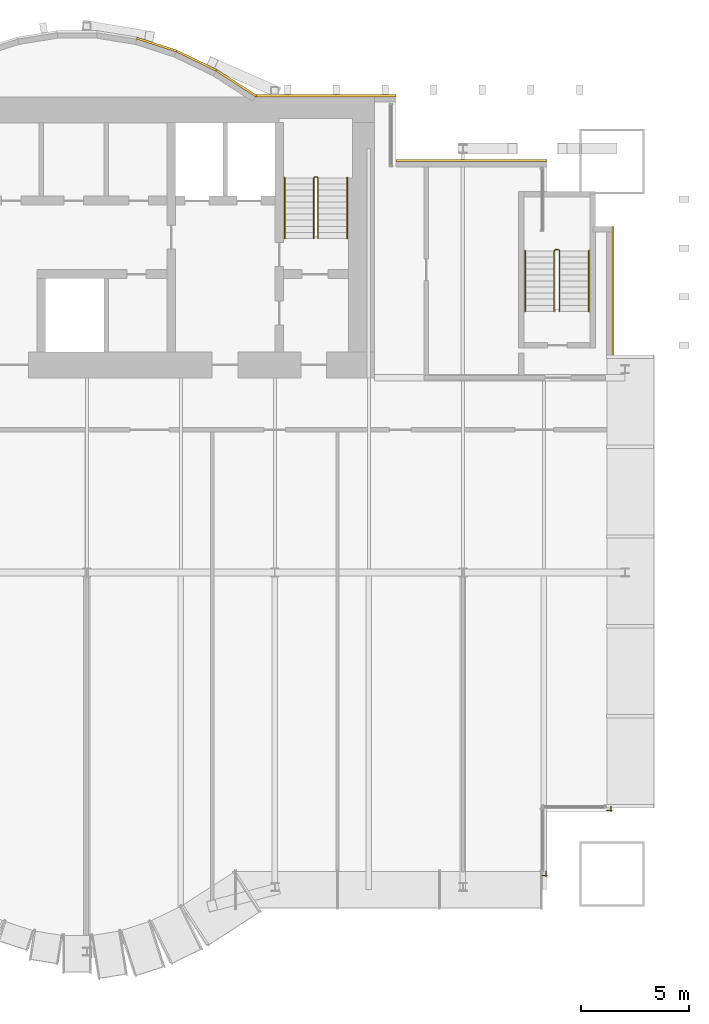
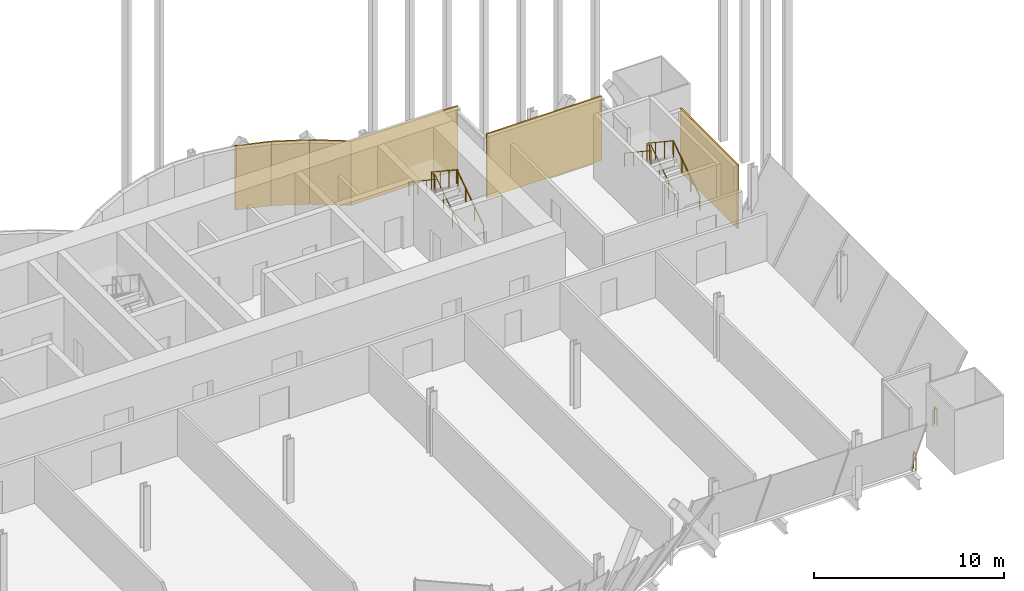
# One storey, part 22 of 22: 8 railings, 6 coverings.
"""IFC4 building model written with IfcOpenShell, lengths in metres."""

from ifc_helpers import new_model, si_unit, direction, frame, origin, origin_2d, place, context, subcontext, project, spatial, rectangle, circle, extrude, material, layer, layer_set, type_object, element, save


model = new_model("IFC4")

# Units and contexts
model_context = context("Model", 3, precision=1e-05, world=origin(), true_north=direction((0.0, 1.0)))
body_context = subcontext(model_context, "Body", "Model", "MODEL_VIEW")
ifc_project = project(units=[si_unit("LENGTHUNIT", "METRE"), si_unit("AREAUNIT", "SQUARE_METRE"), si_unit("VOLUMEUNIT", "CUBIC_METRE"), si_unit("PLANEANGLEUNIT", "RADIAN"), si_unit("MASSUNIT", "GRAM", prefix="KILO")], contexts=[model_context])

# Site, building, storey
site_placement = place(None, origin())
site = spatial("IfcSite", under=ifc_project, at=site_placement, CompositionType="ELEMENT")
building_placement = place(site_placement, origin())
building = spatial("IfcBuilding", under=site, at=building_placement, Name="Bicima Exchange Tower", CompositionType="ELEMENT")
storey_placement = place(building_placement, frame((0.0, 0.0, 89.89990234375)))
storey = spatial("IfcBuildingStorey", under=building, at=storey_placement, Name="L18", CompositionType="ELEMENT", Elevation=89.89990234375)

# Coverings
ifc_material_1 = material(Name="Bronze metal cladding")
ifc_layer_1 = layer(ifc_material_1, 0.004)
ifc_material_2 = material(Name="Ventilated cavity")
ifc_layer_2 = layer(ifc_material_2, 0.06)
ifc_material_3 = material(Name="Galvanised steel rail and mineral wool", Category="steel")
ifc_layer_3 = layer(ifc_material_3, 0.036)
ifc_layer_set = layer_set([ifc_layer_1, ifc_layer_2, ifc_layer_3], Name="Ventilated cavity")
covering_type = type_object("IfcCoveringType", Name="Bronze metal cladding panel 100", PredefinedType="CLADDING", material=ifc_layer_set)
covering_1_placement = place(storey_placement, frame((33.050048828125, -9.0, -0.14990234375), z_axis=(0.0, 0.0, 1.0), x_axis=(0.0, 1.0, 0.0)))
element("IfcCovering", 1, at=covering_1_placement, inside=storey, type_object=covering_type, Name="Bronze cladding L18 2.1", PredefinedType="CLADDING", context=body_context, shape_type="SweptSolid", body=[
    extrude(rectangle(XDim=6.0, YDim=0.10009765625, at=origin_2d()), origin(), (0.0, 0.0, 1.0), 4.10009765625),
])
covering_2_placement = place(storey_placement, frame((26.5, -2.949951171875, -0.14990234375), z_axis=(0.0, 0.0, 1.0), x_axis=(-1.0, 0.0, 0.0)))
element("IfcCovering", 2, at=covering_2_placement, inside=storey, type_object=covering_type, Name="Bronze cladding L18 5.1", PredefinedType="CLADDING", context=body_context, shape_type="SweptSolid", body=[
    extrude(rectangle(XDim=7.0, YDim=0.10009765625, at=origin_2d()), origin(), (0.0, 0.0, 1.0), 4.10009765625),
])
covering_3_placement = place(storey_placement, frame((19.75, 0.050048828125, -0.14990234375), z_axis=(0.0, 0.0, 1.0), x_axis=(-1.0, 0.0, 0.0)))
element("IfcCovering", 3, at=covering_3_placement, inside=storey, type_object=covering_type, Name="Bronze cladding L18 7.1", PredefinedType="CLADDING", context=body_context, shape_type="SweptSolid", body=[
    extrude(rectangle(XDim=6.5, YDim=0.10009765625, at=origin_2d()), origin(), (0.0, 0.0, 1.0), 4.10009765625),
])
covering_4_placement = place(storey_placement, frame((15.610595703125, 0.634521484375, -0.14990234375), z_axis=(0.0, 0.0, 1.0), x_axis=(-0.839790466384, 0.542910648791, 0.0)))
element("IfcCovering", 4, at=covering_4_placement, inside=storey, type_object=covering_type, Name="Bronze cladding L18 8.1", PredefinedType="CLADDING", context=body_context, shape_type="SweptSolid", body=[
    extrude(rectangle(XDim=2.18310546875, YDim=0.10009765625, at=origin_2d()), origin(), (0.0, 0.0, 1.0), 4.10009765625),
])
covering_5_placement = place(storey_placement, frame((13.771728515625, 1.674560546875, -0.14990234375), z_axis=(0.0, 0.0, 1.0), x_axis=(-0.899818346812, 0.436264762204, 0.0)))
element("IfcCovering", 5, at=covering_5_placement, inside=storey, type_object=covering_type, Name="Bronze cladding L18 9.1", PredefinedType="CLADDING", context=body_context, shape_type="SweptSolid", body=[
    extrude(rectangle(XDim=2.03759765625, YDim=0.10009765625, at=origin_2d()), origin(), (0.0, 0.0, 1.0), 4.10009765625),
])
covering_6_placement = place(storey_placement, frame((11.931884765625, 2.41796875, -0.14990234375), z_axis=(0.0, 0.0, 1.0), x_axis=(-0.951524642381, 0.307572519808, 0.0)))
element("IfcCovering", 6, at=covering_6_placement, inside=storey, type_object=covering_type, Name="Bronze cladding L18 10.1", PredefinedType="CLADDING", context=body_context, shape_type="SweptSolid", body=[
    extrude(rectangle(XDim=1.9267578125, YDim=0.10009765625, at=origin_2d()), origin(), (0.0, 0.0, 1.0), 4.10009765625),
])

# Railings
ifc_material_4 = material(Name="Stainless steel and bonded safety glass", Category="steel")
railing_type_1 = type_object("IfcRailingType", Name="Edge guard 1100", PredefinedType="GUARDRAIL", material=ifc_material_4)
railing_1_placement = place(storey_placement, frame((29.949951171875, -35.822021484375, 0.0)))
element("IfcRailing", 7, at=railing_1_placement, inside=storey, type_object=railing_type_1, Name="Edge guard L18 81", PredefinedType="GUARDRAIL", context=body_context, shape_type="SweptSolid", body=[
    extrude(circle(Radius=0.02392578125, at=origin_2d()), frame((0.0, 0.0, 1.076171875), z_axis=(0.0, -1.0, 0.0), x_axis=(1.0, 0.0, 0.0)), (0.0, 0.0, 1.0), 0.25),
    extrude(circle(Radius=0.02392578125, at=origin_2d()), frame((0.0, -0.25, 1.076171875), z_axis=(0.707106781187, 0.707106781187, 0.0), x_axis=(-0.707106781187, 0.707106781187, 0.0)), (0.0, 0.0, 1.0), 0.07080078125),
    extrude(circle(Radius=0.02392578125, at=origin_2d()), frame((0.050048828125, -0.199951171875, 1.076171875), z_axis=(-1.0, 0.0, 0.0), x_axis=(0.0, -1.0, 0.0)), (0.0, 0.0, 1.0), 0.248046875),
    extrude(circle(Radius=0.02099609375, at=origin_2d()), origin(), (0.0, 0.0, 1.0), 1.052001953125),
    extrude(circle(Radius=0.02099609375, at=origin_2d()), frame((0.0, -0.25, 0.0)), (0.0, 0.0, 1.0), 1.052001953125),
    extrude(circle(Radius=0.02099609375, at=origin_2d()), frame((0.050048828125, -0.199951171875, 0.0)), (0.0, 0.0, 1.0), 1.052001953125),
    extrude(circle(Radius=0.02099609375, at=origin_2d()), frame((-0.197998046875, -0.199951171875, 0.0)), (0.0, 0.0, 1.0), 1.052001953125),
])
railing_2_placement = place(storey_placement, frame((32.949951171875, -32.823974609375, 0.0)))
element("IfcRailing", 8, at=railing_2_placement, inside=storey, type_object=railing_type_1, Name="Edge guard L18 84", PredefinedType="GUARDRAIL", context=body_context, shape_type="SweptSolid", body=[
    extrude(circle(Radius=0.02392578125, at=origin_2d()), frame((0.0, 0.0, 1.076171875), z_axis=(0.0, -1.0, 0.0), x_axis=(1.0, 0.0, 0.0)), (0.0, 0.0, 1.0), 0.248046875),
    extrude(circle(Radius=0.02392578125, at=origin_2d()), frame((0.0, -0.248046875, 1.076171875), z_axis=(0.707106781187, 0.707106781187, 0.0), x_axis=(-0.707106781187, 0.707106781187, 0.0)), (0.0, 0.0, 1.0), 0.07080078125),
    extrude(circle(Radius=0.02392578125, at=origin_2d()), frame((0.050048828125, -0.197998046875, 1.076171875), z_axis=(-1.0, 0.0, 0.0), x_axis=(0.0, -1.0, 0.0)), (0.0, 0.0, 1.0), 0.25),
    extrude(circle(Radius=0.02099609375, at=origin_2d()), origin(), (0.0, 0.0, 1.0), 1.052001953125),
    extrude(circle(Radius=0.02099609375, at=origin_2d()), frame((0.0, -0.248046875, 0.0)), (0.0, 0.0, 1.0), 1.052001953125),
    extrude(circle(Radius=0.02099609375, at=origin_2d()), frame((0.050048828125, -0.197998046875, 0.0)), (0.0, 0.0, 1.0), 1.052001953125),
    extrude(circle(Radius=0.02099609375, at=origin_2d()), frame((-0.199951171875, -0.197998046875, 0.0)), (0.0, 0.0, 1.0), 1.052001953125),
])
ifc_material_5 = material(Name="Stainless steel", Category="steel")
railing_type_2 = type_object("IfcRailingType", Name="Stair guard 1100", PredefinedType="GUARDRAIL", material=ifc_material_5)
railing_3_placement = place(storey_placement, frame((19.39990234375, -6.550048828125, 0.1865234375)))
element("IfcRailing", 9, at=railing_3_placement, inside=storey, type_object=railing_type_2, Name="L18 ST-E stair guard 1", PredefinedType="GUARDRAIL", context=body_context, shape_type="SweptSolid", body=[
    extrude(circle(Radius=0.02392578125, at=origin_2d()), frame((0.0, 0.0, 1.076171875), z_axis=(0.0, 0.832485552168, 0.554046753832), x_axis=(-1.0, 0.0, 0.0)), (0.0, 0.0, 1.0), 3.363525390625),
    extrude(circle(Radius=0.02392578125, at=origin_2d()), frame((0.0, 2.800048828125, 2.939453125), z_axis=(-0.705375805398, 0.708833529934, 0.0), x_axis=(-0.708833529934, -0.705375805398, 0.0)), (0.0, 0.0, 1.0), 0.070556640625),
    extrude(circle(Radius=0.02392578125, at=origin_2d()), frame((-0.0498046875, 2.85009765625, 2.939453125), z_axis=(-1.0, 0.0, 0.0), x_axis=(0.0, -1.0, 0.0)), (0.0, 0.0, 1.0), 0.10009765625),
    extrude(circle(Radius=0.02392578125, at=origin_2d()), frame((-0.14990234375, 2.85009765625, 2.939453125), z_axis=(-0.250869701741, -0.250869701741, 0.934948546978), x_axis=(0.707106781187, -0.707106781187, 0.0)), (0.0, 0.0, 1.0), 0.199462890625),
    extrude(circle(Radius=0.02392578125, at=origin_2d()), frame((-0.199951171875, 2.800048828125, 3.1259765625), z_axis=(0.0, -0.832485552168, 0.554046753832), x_axis=(1.0, 0.0, 0.0)), (0.0, 0.0, 1.0), 3.363525390625),
    extrude(circle(Radius=0.02099609375, at=origin_2d()), origin(), (0.0, 0.0, 1.0), 1.052001953125),
    extrude(circle(Radius=0.02099609375, at=origin_2d()), frame((0.0, 0.933349609375, 0.62109375)), (0.0, 0.0, 1.0), 1.052001953125),
    extrude(circle(Radius=0.02099609375, at=origin_2d()), frame((0.0, 1.86669921875, 1.242431640625)), (0.0, 0.0, 1.0), 1.052001953125),
    extrude(circle(Radius=0.02099609375, at=origin_2d()), frame((0.0, 2.800048828125, 1.863525390625)), (0.0, 0.0, 1.0), 1.052001953125),
    extrude(circle(Radius=0.02099609375, at=origin_2d()), frame((-0.0498046875, 2.85009765625, 1.863525390625)), (0.0, 0.0, 1.0), 1.052001953125),
    extrude(circle(Radius=0.02099609375, at=origin_2d()), frame((-0.14990234375, 2.85009765625, 1.863525390625)), (0.0, 0.0, 1.0), 1.052001953125),
    extrude(circle(Radius=0.02099609375, at=origin_2d()), frame((-0.199951171875, 2.800048828125, 2.050048828125)), (0.0, 0.0, 1.0), 1.052001953125),
    extrude(circle(Radius=0.02099609375, at=origin_2d()), frame((-0.199951171875, 1.86669921875, 2.671142578125)), (0.0, 0.0, 1.0), 1.052001953125),
    extrude(circle(Radius=0.02099609375, at=origin_2d()), frame((-0.199951171875, 0.933349609375, 3.29248046875)), (0.0, 0.0, 1.0), 1.052001953125),
    extrude(circle(Radius=0.02099609375, at=origin_2d()), frame((-0.199951171875, 0.0, 3.91357421875)), (0.0, 0.0, 1.0), 1.052001953125),
])
railing_4_placement = place(storey_placement, frame((30.574951171875, -9.925048828125, 0.1865234375)))
element("IfcRailing", 10, at=railing_4_placement, inside=storey, type_object=railing_type_2, Name="L18 ST-EE stair guard 1", PredefinedType="GUARDRAIL", context=body_context, shape_type="SweptSolid", body=[
    extrude(circle(Radius=0.02392578125, at=origin_2d()), frame((0.0, 0.0, 1.076171875), z_axis=(0.0, 0.832485552168, 0.554046753832), x_axis=(-1.0, 0.0, 0.0)), (0.0, 0.0, 1.0), 3.363525390625),
    extrude(circle(Radius=0.02392578125, at=origin_2d()), frame((0.0, 2.800048828125, 2.939453125), z_axis=(-0.707106781187, 0.707106781187, 0.0), x_axis=(-0.707106781187, -0.707106781187, 0.0)), (0.0, 0.0, 1.0), 0.07080078125),
    extrude(circle(Radius=0.02392578125, at=origin_2d()), frame((-0.050048828125, 2.85009765625, 2.939453125), z_axis=(-1.0, 0.0, 0.0), x_axis=(0.0, -1.0, 0.0)), (0.0, 0.0, 1.0), 0.14990234375),
    extrude(circle(Radius=0.02392578125, at=origin_2d()), frame((-0.199951171875, 2.85009765625, 2.939453125), z_axis=(-0.250869701741, -0.250869701741, 0.934948546978), x_axis=(0.707106781187, -0.707106781187, 0.0)), (0.0, 0.0, 1.0), 0.199462890625),
    extrude(circle(Radius=0.02392578125, at=origin_2d()), frame((-0.25, 2.800048828125, 3.1259765625), z_axis=(0.0, -0.832485552168, 0.554046753832), x_axis=(1.0, 0.0, 0.0)), (0.0, 0.0, 1.0), 3.363525390625),
    extrude(circle(Radius=0.02099609375, at=origin_2d()), origin(), (0.0, 0.0, 1.0), 1.052001953125),
    extrude(circle(Radius=0.02099609375, at=origin_2d()), frame((0.0, 0.933349609375, 0.62109375)), (0.0, 0.0, 1.0), 1.052001953125),
    extrude(circle(Radius=0.02099609375, at=origin_2d()), frame((0.0, 1.86669921875, 1.242431640625)), (0.0, 0.0, 1.0), 1.052001953125),
    extrude(circle(Radius=0.02099609375, at=origin_2d()), frame((0.0, 2.800048828125, 1.863525390625)), (0.0, 0.0, 1.0), 1.052001953125),
    extrude(circle(Radius=0.02099609375, at=origin_2d()), frame((-0.050048828125, 2.85009765625, 1.863525390625)), (0.0, 0.0, 1.0), 1.052001953125),
    extrude(circle(Radius=0.02099609375, at=origin_2d()), frame((-0.199951171875, 2.85009765625, 1.863525390625)), (0.0, 0.0, 1.0), 1.052001953125),
    extrude(circle(Radius=0.02099609375, at=origin_2d()), frame((-0.25, 2.800048828125, 2.050048828125)), (0.0, 0.0, 1.0), 1.052001953125),
    extrude(circle(Radius=0.02099609375, at=origin_2d()), frame((-0.25, 1.86669921875, 2.671142578125)), (0.0, 0.0, 1.0), 1.052001953125),
    extrude(circle(Radius=0.02099609375, at=origin_2d()), frame((-0.25, 0.933349609375, 3.29248046875)), (0.0, 0.0, 1.0), 1.052001953125),
    extrude(circle(Radius=0.02099609375, at=origin_2d()), frame((-0.25, 0.0, 3.91357421875)), (0.0, 0.0, 1.0), 1.052001953125),
])
railing_type_3 = type_object("IfcRailingType", Name="Stair handrail 900", PredefinedType="HANDRAIL", material=ifc_material_5)
railing_5_placement = place(storey_placement, frame((20.75, -6.550048828125, 0.1865234375)))
element("IfcRailing", 11, at=railing_5_placement, inside=storey, type_object=railing_type_3, Name="L18 ST-E stair handrail 1", PredefinedType="HANDRAIL", context=body_context, shape_type="SweptSolid", body=[
    extrude(circle(Radius=0.02392578125, at=origin_2d()), frame((0.0, 0.0, 0.8759765625), z_axis=(0.0, 0.832485552168, 0.554046753832), x_axis=(-1.0, 0.0, 0.0)), (0.0, 0.0, 1.0), 3.363525390625),
    extrude(circle(Radius=0.02099609375, at=origin_2d()), origin(), (0.0, 0.0, 1.0), 0.851806640625),
    extrude(circle(Radius=0.02099609375, at=origin_2d()), frame((0.0, 0.933349609375, 0.62109375)), (0.0, 0.0, 1.0), 0.851806640625),
    extrude(circle(Radius=0.02099609375, at=origin_2d()), frame((0.0, 1.86669921875, 1.242431640625)), (0.0, 0.0, 1.0), 0.851806640625),
    extrude(circle(Radius=0.02099609375, at=origin_2d()), frame((0.0, 2.800048828125, 1.863525390625)), (0.0, 0.0, 1.0), 0.851806640625),
])
railing_6_placement = place(storey_placement, frame((17.85009765625, -3.75, 2.27685546875)))
element("IfcRailing", 12, at=railing_6_placement, inside=storey, type_object=railing_type_3, Name="L18 ST-E stair handrail 2", PredefinedType="HANDRAIL", context=body_context, shape_type="SweptSolid", body=[
    extrude(circle(Radius=0.02392578125, at=origin_2d()), frame((0.0, 0.0, 0.8759765625), z_axis=(0.0, -0.832485552168, 0.554046753832), x_axis=(1.0, 0.0, 0.0)), (0.0, 0.0, 1.0), 3.363525390625),
    extrude(circle(Radius=0.02099609375, at=origin_2d()), origin(), (0.0, 0.0, 1.0), 0.851806640625),
    extrude(circle(Radius=0.02099609375, at=origin_2d()), frame((0.0, -0.933349609375, 0.62109375)), (0.0, 0.0, 1.0), 0.851806640625),
    extrude(circle(Radius=0.02099609375, at=origin_2d()), frame((0.0, -1.86669921875, 1.242431640625)), (0.0, 0.0, 1.0), 0.851806640625),
    extrude(circle(Radius=0.02099609375, at=origin_2d()), frame((0.0, -2.800048828125, 1.863525390625)), (0.0, 0.0, 1.0), 0.851806640625),
])
railing_7_placement = place(storey_placement, frame((31.925048828125, -9.925048828125, 0.1865234375)))
element("IfcRailing", 13, at=railing_7_placement, inside=storey, type_object=railing_type_3, Name="L18 ST-EE stair handrail 1", PredefinedType="HANDRAIL", context=body_context, shape_type="SweptSolid", body=[
    extrude(circle(Radius=0.02392578125, at=origin_2d()), frame((0.0, 0.0, 0.8759765625), z_axis=(0.0, 0.832485552168, 0.554046753832), x_axis=(-1.0, 0.0, 0.0)), (0.0, 0.0, 1.0), 3.363525390625),
    extrude(circle(Radius=0.02099609375, at=origin_2d()), origin(), (0.0, 0.0, 1.0), 0.851806640625),
    extrude(circle(Radius=0.02099609375, at=origin_2d()), frame((0.0, 0.933349609375, 0.62109375)), (0.0, 0.0, 1.0), 0.851806640625),
    extrude(circle(Radius=0.02099609375, at=origin_2d()), frame((0.0, 1.86669921875, 1.242431640625)), (0.0, 0.0, 1.0), 0.851806640625),
    extrude(circle(Radius=0.02099609375, at=origin_2d()), frame((0.0, 2.800048828125, 1.863525390625)), (0.0, 0.0, 1.0), 0.851806640625),
])
railing_8_placement = place(storey_placement, frame((28.97509765625, -7.125, 2.27685546875)))
element("IfcRailing", 14, at=railing_8_placement, inside=storey, type_object=railing_type_3, Name="L18 ST-EE stair handrail 2", PredefinedType="HANDRAIL", context=body_context, shape_type="SweptSolid", body=[
    extrude(circle(Radius=0.02392578125, at=origin_2d()), frame((0.0, 0.0, 0.8759765625), z_axis=(0.0, -0.832485552168, 0.554046753832), x_axis=(1.0, 0.0, 0.0)), (0.0, 0.0, 1.0), 3.363525390625),
    extrude(circle(Radius=0.02099609375, at=origin_2d()), origin(), (0.0, 0.0, 1.0), 0.851806640625),
    extrude(circle(Radius=0.02099609375, at=origin_2d()), frame((0.0, -0.933349609375, 0.62109375)), (0.0, 0.0, 1.0), 0.851806640625),
    extrude(circle(Radius=0.02099609375, at=origin_2d()), frame((0.0, -1.86669921875, 1.242431640625)), (0.0, 0.0, 1.0), 0.851806640625),
    extrude(circle(Radius=0.02099609375, at=origin_2d()), frame((0.0, -2.800048828125, 1.863525390625)), (0.0, 0.0, 1.0), 0.851806640625),
])

save(model, "model.ifc")
